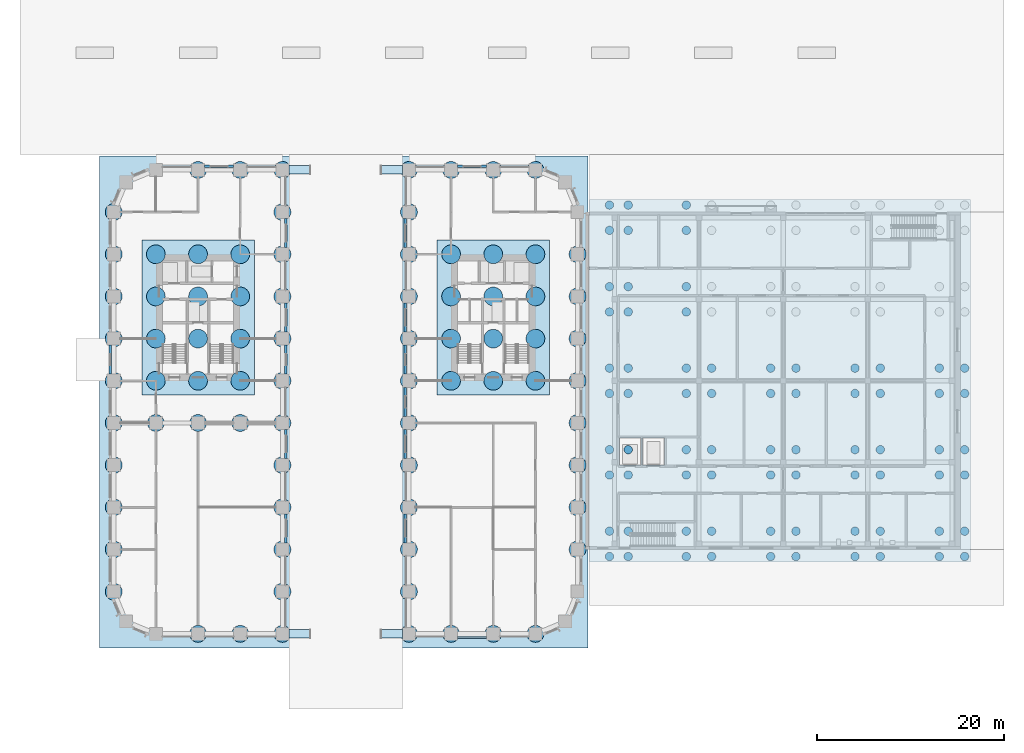
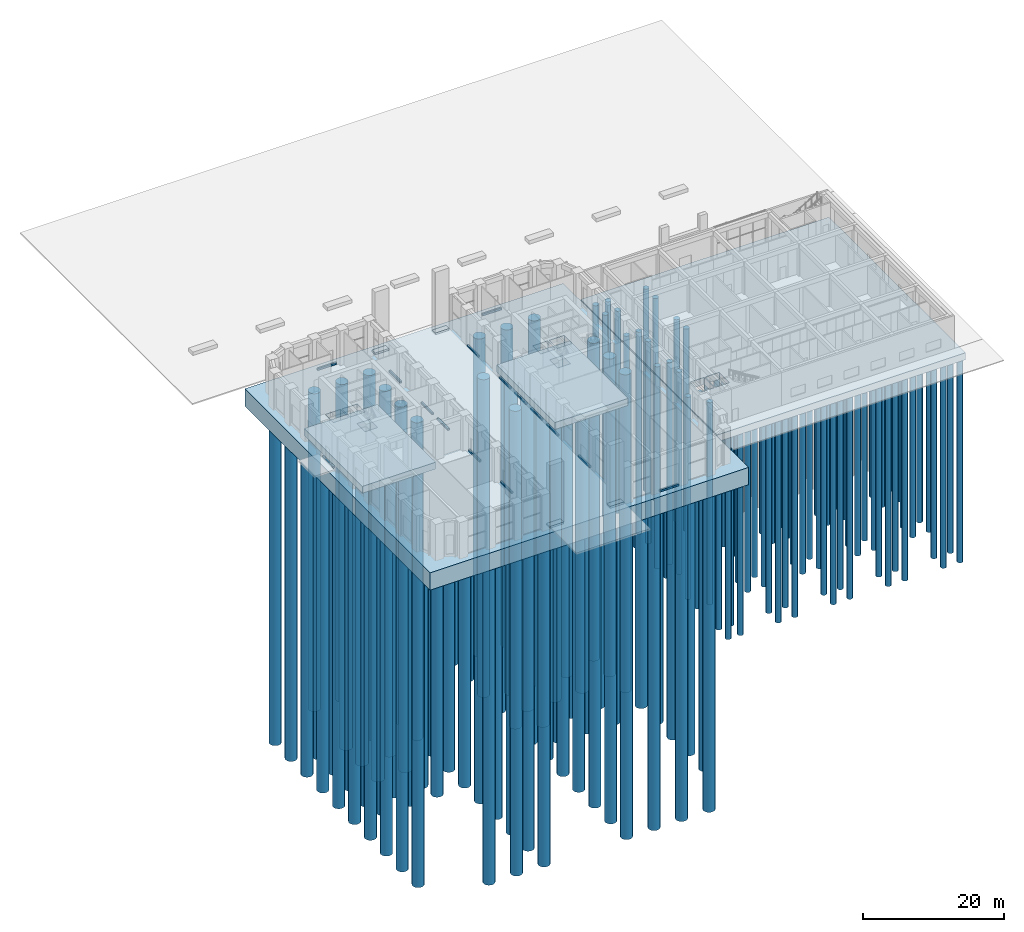
# One storey, part 1 of 31: 151 piles, 23 footings.
"""IFC4 building model written with IfcOpenShell, lengths in metres."""

from ifc_helpers import new_model, si_unit, direction, frame, origin, origin_2d, place, context, subcontext, project, spatial, polyline, circle, outline, extrude, material, layer, layer_set, material_profile, profile_set, type_object, element, save


model = new_model("IFC4")

# Units and contexts
model_context = context("Model", 3, precision=1e-05, world=origin(), true_north=direction((0.0, 1.0)))
body_context = subcontext(model_context, "Body", "Model", "MODEL_VIEW")
ifc_project = project(units=[si_unit("LENGTHUNIT", "METRE"), si_unit("AREAUNIT", "SQUARE_METRE"), si_unit("VOLUMEUNIT", "CUBIC_METRE"), si_unit("PLANEANGLEUNIT", "RADIAN"), si_unit("MASSUNIT", "GRAM", prefix="KILO")], contexts=[model_context])

# Site, building, storey
site_placement = place(None, origin())
site = spatial("IfcSite", under=ifc_project, at=site_placement, CompositionType="ELEMENT")
building_placement = place(site_placement, origin())
building = spatial("IfcBuilding", under=site, at=building_placement, Name="Girih Gate Residences", CompositionType="ELEMENT")
storey_placement = place(building_placement, origin())
storey = spatial("IfcBuildingStorey", under=building, at=storey_placement, Name="L00", CompositionType="ELEMENT", Elevation=0.0)

# Piles
ifc_material_1 = material(Name="Concrete C35/45", Category="concrete")
ifc_material_profile_1 = material_profile(ifc_material_1, circle(Radius=0.89990234375, at=origin_2d()))
ifc_profile_set_1 = profile_set([ifc_material_profile_1], Name="Concrete C35/45")
pile_type_1 = type_object("IfcPileType", Name="Bored pile D1800 Concrete C35/45", PredefinedType="BORED", material=ifc_profile_set_1)
for number, where, z_axis, x_axis, name in (
    (1, (9.0, 0.0, -3.300048828125), (0.0, 0.0, -1.0), (1.0, 0.0, 0.0), "Bored pile 1"),
    (2, (13.5, 0.0, -3.300048828125), (0.0, 0.0, -1.0), (1.0, 0.0, 0.0), "Bored pile 2"),
    (3, (18.0, 0.0, -3.300048828125), (0.0, 0.0, -1.0), (1.0, 0.0, 0.0), "Bored pile 3"),
    (4, (31.5, 0.0, -3.300048828125), (0.0, 0.0, -1.0), (1.0, 0.0, 0.0), "Bored pile 4"),
    (5, (36.0, 0.0, -3.300048828125), (0.0, 0.0, -1.0), (1.0, 0.0, 0.0), "Bored pile 5"),
    (6, (40.5, 0.0, -3.300048828125), (0.0, 0.0, -1.0), (1.0, 0.0, 0.0), "Bored pile 6"),
    (7, (45.0, 0.0, -3.300048828125), (0.0, 0.0, -1.0), (1.0, 0.0, 0.0), "Bored pile 7"),
    (8, (0.0, 4.5, -3.300048828125), (0.0, 0.0, -1.0), (1.0, 0.0, 0.0), "Bored pile 8"),
    (9, (18.0, 4.5, -3.300048828125), (0.0, 0.0, -1.0), (1.0, 0.0, 0.0), "Bored pile 9"),
    (10, (31.5, 4.5, -3.300048828125), (0.0, 0.0, -1.0), (1.0, 0.0, 0.0), "Bored pile 10"),
    (11, (0.0, 9.0, -3.300048828125), (0.0, 0.0, -1.0), (1.0, 0.0, 0.0), "Bored pile 11"),
    (12, (18.0, 9.0, -3.300048828125), (0.0, 0.0, -1.0), (1.0, 0.0, 0.0), "Bored pile 12"),
    (13, (31.5, 9.0, -3.300048828125), (0.0, 0.0, -1.0), (1.0, 0.0, 0.0), "Bored pile 13"),
    (14, (49.5, 9.0, -3.300048828125), (0.0, 0.0, -1.0), (1.0, 0.0, 0.0), "Bored pile 14"),
    (15, (0.0, 13.5, -3.300048828125), (0.0, 0.0, -1.0), (1.0, 0.0, 0.0), "Bored pile 15"),
    (16, (18.0, 13.5, -3.300048828125), (0.0, 0.0, -1.0), (1.0, 0.0, 0.0), "Bored pile 16"),
    (17, (31.5, 13.5, -3.300048828125), (0.0, 0.0, -1.0), (1.0, 0.0, 0.0), "Bored pile 17"),
    (18, (49.5, 13.5, -3.300048828125), (0.0, 0.0, -1.0), (1.0, 0.0, 0.0), "Bored pile 18"),
    (19, (0.0, 18.0, -3.300048828125), (0.0, 0.0, -1.0), (1.0, 0.0, 0.0), "Bored pile 19"),
    (20, (18.0, 18.0, -3.300048828125), (0.0, 0.0, -1.0), (1.0, 0.0, 0.0), "Bored pile 20"),
    (21, (31.5, 18.0, -3.300048828125), (0.0, 0.0, -1.0), (1.0, 0.0, 0.0), "Bored pile 21"),
    (22, (49.5, 18.0, -3.300048828125), (0.0, 0.0, -1.0), (1.0, 0.0, 0.0), "Bored pile 22"),
    (23, (0.0, 22.5, -3.300048828125), (0.0, 0.0, -1.0), (1.0, 0.0, 0.0), "Bored pile 23"),
    (24, (4.5, 22.5, -3.300048828125), (0.0, 0.0, -1.0), (1.0, 0.0, 0.0), "Bored pile 24"),
    (25, (9.0, 22.5, -3.300048828125), (0.0, 0.0, -1.0), (1.0, 0.0, 0.0), "Bored pile 25"),
    (26, (13.5, 22.5, -3.300048828125), (0.0, 0.0, -1.0), (1.0, 0.0, 0.0), "Bored pile 26"),
    (27, (18.0, 22.5, -3.300048828125), (0.0, 0.0, -1.0), (1.0, 0.0, 0.0), "Bored pile 27"),
    (28, (31.5, 22.5, -3.300048828125), (0.0, 0.0, -1.0), (1.0, 0.0, 0.0), "Bored pile 28"),
    (29, (49.5, 22.5, -3.300048828125), (0.0, 0.0, -1.0), (1.0, 0.0, 0.0), "Bored pile 29"),
    (30, (0.0, 27.0, -3.300048828125), (0.0, 0.0, -1.0), (1.0, 0.0, 0.0), "Bored pile 30"),
    (31, (18.0, 27.0, -3.300048828125), (0.0, 0.0, -1.0), (1.0, 0.0, 0.0), "Bored pile 34"),
    (32, (31.5, 27.0, -3.300048828125), (0.0, 0.0, -1.0), (1.0, 0.0, 0.0), "Bored pile 35"),
    (33, (49.5, 27.0, -3.300048828125), (0.0, 0.0, -1.0), (1.0, 0.0, 0.0), "Bored pile 39"),
    (34, (0.0, 31.5, -3.300048828125), (0.0, 0.0, -1.0), (1.0, 0.0, 0.0), "Bored pile 40"),
    (35, (18.0, 31.5, -3.300048828125), (0.0, 0.0, -1.0), (1.0, 0.0, 0.0), "Bored pile 44"),
    (36, (31.5, 31.5, -3.300048828125), (0.0, 0.0, -1.0), (1.0, 0.0, 0.0), "Bored pile 45"),
    (37, (49.5, 31.5, -3.300048828125), (0.0, 0.0, -1.0), (1.0, 0.0, 0.0), "Bored pile 49"),
    (38, (0.0, 36.0, -3.300048828125), (0.0, 0.0, -1.0), (1.0, 0.0, 0.0), "Bored pile 50"),
    (39, (18.0, 36.0, -3.300048828125), (0.0, 0.0, -1.0), (1.0, 0.0, 0.0), "Bored pile 54"),
    (40, (31.5, 36.0, -3.300048828125), (0.0, 0.0, -1.0), (1.0, 0.0, 0.0), "Bored pile 55"),
    (41, (49.5, 36.0, -3.300048828125), (0.0, 0.0, -1.0), (1.0, 0.0, 0.0), "Bored pile 59"),
    (42, (0.0, 40.5, -3.300048828125), (0.0, 0.0, -1.0), (1.0, 0.0, 0.0), "Bored pile 60"),
    (43, (18.0, 40.5, -3.300048828125), (0.0, 0.0, -1.0), (1.0, 0.0, 0.0), "Bored pile 64"),
    (44, (31.5, 40.5, -3.300048828125), (0.0, 0.0, -1.0), (1.0, 0.0, 0.0), "Bored pile 65"),
    (45, (49.5, 40.5, -3.300048828125), (0.0, 0.0, -1.0), (1.0, 0.0, 0.0), "Bored pile 69"),
    (46, (0.0, 45.0, -3.300048828125), (0.0, 0.0, -1.0), (1.0, 0.0, 0.0), "Bored pile 70"),
    (47, (18.0, 45.0, -3.300048828125), (0.0, 0.0, -1.0), (1.0, 0.0, 0.0), "Bored pile 71"),
    (48, (31.5, 45.0, -3.300048828125), (0.0, 0.0, -1.0), (1.0, 0.0, 0.0), "Bored pile 72"),
    (49, (9.0, 49.5, -3.300048828125), (0.0, 0.0, -1.0), (1.0, 0.0, 0.0), "Bored pile 73"),
    (50, (13.5, 49.5, -3.300048828125), (0.0, 0.0, -1.0), (1.0, 0.0, 0.0), "Bored pile 74"),
    (51, (18.0, 49.5, -3.300048828125), (0.0, 0.0, -1.0), (1.0, 0.0, 0.0), "Bored pile 75"),
    (52, (31.5, 49.5, -3.300048828125), (0.0, 0.0, -1.0), (1.0, 0.0, 0.0), "Bored pile 76"),
    (53, (36.0, 49.5, -3.300048828125), (0.0, 0.0, -1.0), (1.0, 0.0, 0.0), "Bored pile 77"),
    (54, (40.5, 49.5, -3.300048828125), (0.0, 0.0, -1.0), (1.0, 0.0, 0.0), "Bored pile 78"),
    (55, (45.0, 49.5, -3.300048828125), (0.0, 0.0, -1.0), (1.0, 0.0, 0.0), "Bored pile 79"),
):
    element("IfcPile", number, at=place(storey_placement, frame(where, z_axis=z_axis, x_axis=x_axis)), inside=storey, type_object=pile_type_1, Name=name, PredefinedType="BORED", context=body_context, shape_type="SweptSolid", body=[
        extrude(circle(Radius=0.89990234375, at=origin_2d()), origin(), (0.0, 0.0, 1.0), 55.0),
    ])
ifc_material_profile_2 = material_profile(ifc_material_1, circle(Radius=1.0, at=origin_2d()))
ifc_profile_set_2 = profile_set([ifc_material_profile_2], Name="Concrete C35/45")
pile_type_2 = type_object("IfcPileType", Name="Bored pile D2000 Concrete C35/45", PredefinedType="BORED", material=ifc_profile_set_2)
for number, where, z_axis, x_axis, name in (
    (56, (4.5, 27.0, -4.5), (0.0, 0.0, -1.0), (1.0, 0.0, 0.0), "Bored pile 31"),
    (57, (9.0, 27.0, -4.5), (0.0, 0.0, -1.0), (1.0, 0.0, 0.0), "Bored pile 32"),
    (58, (13.5, 27.0, -4.5), (0.0, 0.0, -1.0), (1.0, 0.0, 0.0), "Bored pile 33"),
    (59, (36.0, 27.0, -4.5), (0.0, 0.0, -1.0), (1.0, 0.0, 0.0), "Bored pile 36"),
    (60, (40.5, 27.0, -4.5), (0.0, 0.0, -1.0), (1.0, 0.0, 0.0), "Bored pile 37"),
    (61, (45.0, 27.0, -4.5), (0.0, 0.0, -1.0), (1.0, 0.0, 0.0), "Bored pile 38"),
    (62, (4.5, 31.5, -4.5), (0.0, 0.0, -1.0), (1.0, 0.0, 0.0), "Bored pile 41"),
    (63, (9.0, 31.5, -4.5), (0.0, 0.0, -1.0), (1.0, 0.0, 0.0), "Bored pile 42"),
    (64, (13.5, 31.5, -4.5), (0.0, 0.0, -1.0), (1.0, 0.0, 0.0), "Bored pile 43"),
    (65, (36.0, 31.5, -4.5), (0.0, 0.0, -1.0), (1.0, 0.0, 0.0), "Bored pile 46"),
    (66, (40.5, 31.5, -4.5), (0.0, 0.0, -1.0), (1.0, 0.0, 0.0), "Bored pile 47"),
    (67, (45.0, 31.5, -4.5), (0.0, 0.0, -1.0), (1.0, 0.0, 0.0), "Bored pile 48"),
    (68, (4.5, 36.0, -4.5), (0.0, 0.0, -1.0), (1.0, 0.0, 0.0), "Bored pile 51"),
    (69, (9.0, 36.0, -4.5), (0.0, 0.0, -1.0), (1.0, 0.0, 0.0), "Bored pile 52"),
    (70, (13.5, 36.0, -4.5), (0.0, 0.0, -1.0), (1.0, 0.0, 0.0), "Bored pile 53"),
    (71, (36.0, 36.0, -4.5), (0.0, 0.0, -1.0), (1.0, 0.0, 0.0), "Bored pile 56"),
    (72, (40.5, 36.0, -4.5), (0.0, 0.0, -1.0), (1.0, 0.0, 0.0), "Bored pile 57"),
    (73, (45.0, 36.0, -4.5), (0.0, 0.0, -1.0), (1.0, 0.0, 0.0), "Bored pile 58"),
    (74, (4.5, 40.5, -4.5), (0.0, 0.0, -1.0), (1.0, 0.0, 0.0), "Bored pile 61"),
    (75, (9.0, 40.5, -4.5), (0.0, 0.0, -1.0), (1.0, 0.0, 0.0), "Bored pile 62"),
    (76, (13.5, 40.5, -4.5), (0.0, 0.0, -1.0), (1.0, 0.0, 0.0), "Bored pile 63"),
    (77, (36.0, 40.5, -4.5), (0.0, 0.0, -1.0), (1.0, 0.0, 0.0), "Bored pile 66"),
    (78, (40.5, 40.5, -4.5), (0.0, 0.0, -1.0), (1.0, 0.0, 0.0), "Bored pile 67"),
    (79, (45.0, 40.5, -4.5), (0.0, 0.0, -1.0), (1.0, 0.0, 0.0), "Bored pile 68"),
):
    element("IfcPile", number, at=place(storey_placement, frame(where, z_axis=z_axis, x_axis=x_axis)), inside=storey, type_object=pile_type_2, Name=name, PredefinedType="BORED", context=body_context, shape_type="SweptSolid", body=[
        extrude(circle(Radius=1.0, at=origin_2d()), origin(), (0.0, 0.0, 1.0), 55.0),
    ])
ifc_material_2 = material(Name="Concrete C40/50", Category="concrete")
ifc_material_profile_3 = material_profile(ifc_material_2, circle(Radius=0.449951171875, at=origin_2d()))
ifc_profile_set_3 = profile_set([ifc_material_profile_3], Name="Concrete C40/50")
pile_type_3 = type_object("IfcPileType", Name="HC Bored pile D900 C40/50", PredefinedType="BORED", material=ifc_profile_set_3)
for number, where, z_axis, x_axis, name in (
    (80, (52.89990234375, 8.25, -1.5), (0.0, 0.0, -1.0), (1.0, 0.0, 0.0), "Health centre pile H1/HA 1"),
    (81, (52.89990234375, 10.949951171875, -1.5), (0.0, 0.0, -1.0), (1.0, 0.0, 0.0), "Health centre pile H1/HA 2"),
    (82, (54.89990234375, 8.25, -1.5), (0.0, 0.0, -1.0), (1.0, 0.0, 0.0), "Health centre pile H1/HA 3"),
    (83, (54.89990234375, 10.949951171875, -1.5), (0.0, 0.0, -1.0), (1.0, 0.0, 0.0), "Health centre pile H1/HA 4"),
    (84, (52.89990234375, 16.949951171875, -1.5), (0.0, 0.0, -1.0), (1.0, 0.0, 0.0), "Health centre pile H1/HB 5"),
    (85, (52.89990234375, 19.64990234375, -1.5), (0.0, 0.0, -1.0), (1.0, 0.0, 0.0), "Health centre pile H1/HB 6"),
    (86, (54.89990234375, 16.949951171875, -1.5), (0.0, 0.0, -1.0), (1.0, 0.0, 0.0), "Health centre pile H1/HB 7"),
    (87, (54.89990234375, 19.64990234375, -1.5), (0.0, 0.0, -1.0), (1.0, 0.0, 0.0), "Health centre pile H1/HB 8"),
    (88, (52.89990234375, 25.64990234375, -1.5), (0.0, 0.0, -1.0), (1.0, 0.0, 0.0), "Health centre pile H1/HC 9"),
    (89, (52.89990234375, 28.35009765625, -1.5), (0.0, 0.0, -1.0), (1.0, 0.0, 0.0), "Health centre pile H1/HC 10"),
    (90, (54.89990234375, 25.64990234375, -1.5), (0.0, 0.0, -1.0), (1.0, 0.0, 0.0), "Health centre pile H1/HC 11"),
    (91, (54.89990234375, 28.35009765625, -1.5), (0.0, 0.0, -1.0), (1.0, 0.0, 0.0), "Health centre pile H1/HC 12"),
    (92, (52.89990234375, 34.35009765625, -1.5), (0.0, 0.0, -1.0), (1.0, 0.0, 0.0), "Health centre pile H1/HD 13"),
    (93, (52.89990234375, 37.050048828125, -1.5), (0.0, 0.0, -1.0), (1.0, 0.0, 0.0), "Health centre pile H1/HD 14"),
    (94, (54.89990234375, 34.35009765625, -1.5), (0.0, 0.0, -1.0), (1.0, 0.0, 0.0), "Health centre pile H1/HD 15"),
    (95, (54.89990234375, 37.050048828125, -1.5), (0.0, 0.0, -1.0), (1.0, 0.0, 0.0), "Health centre pile H1/HD 16"),
    (96, (52.89990234375, 43.050048828125, -1.5), (0.0, 0.0, -1.0), (1.0, 0.0, 0.0), "Health centre pile H1/HE 17"),
    (97, (52.89990234375, 45.75, -1.5), (0.0, 0.0, -1.0), (1.0, 0.0, 0.0), "Health centre pile H1/HE 18"),
    (98, (54.89990234375, 43.050048828125, -1.5), (0.0, 0.0, -1.0), (1.0, 0.0, 0.0), "Health centre pile H1/HE 19"),
    (99, (54.89990234375, 45.75, -1.5), (0.0, 0.0, -1.0), (1.0, 0.0, 0.0), "Health centre pile H1/HE 20"),
    (100, (61.10009765625, 8.25, -1.5), (0.0, 0.0, -1.0), (1.0, 0.0, 0.0), "Health centre pile H2/HA 21"),
    (101, (61.10009765625, 10.949951171875, -1.5), (0.0, 0.0, -1.0), (1.0, 0.0, 0.0), "Health centre pile H2/HA 22"),
    (102, (63.800048828125, 8.25, -1.5), (0.0, 0.0, -1.0), (1.0, 0.0, 0.0), "Health centre pile H2/HA 23"),
    (103, (63.800048828125, 10.949951171875, -1.5), (0.0, 0.0, -1.0), (1.0, 0.0, 0.0), "Health centre pile H2/HA 24"),
    (104, (61.10009765625, 16.949951171875, -1.5), (0.0, 0.0, -1.0), (1.0, 0.0, 0.0), "Health centre pile H2/HB 25"),
    (105, (61.10009765625, 19.64990234375, -1.5), (0.0, 0.0, -1.0), (1.0, 0.0, 0.0), "Health centre pile H2/HB 26"),
    (106, (63.800048828125, 16.949951171875, -1.5), (0.0, 0.0, -1.0), (1.0, 0.0, 0.0), "Health centre pile H2/HB 27"),
    (107, (63.800048828125, 19.64990234375, -1.5), (0.0, 0.0, -1.0), (1.0, 0.0, 0.0), "Health centre pile H2/HB 28"),
    (108, (61.10009765625, 25.64990234375, -1.5), (0.0, 0.0, -1.0), (1.0, 0.0, 0.0), "Health centre pile H2/HC 29"),
    (109, (61.10009765625, 28.35009765625, -1.5), (0.0, 0.0, -1.0), (1.0, 0.0, 0.0), "Health centre pile H2/HC 30"),
    (110, (63.800048828125, 25.64990234375, -1.5), (0.0, 0.0, -1.0), (1.0, 0.0, 0.0), "Health centre pile H2/HC 31"),
    (111, (63.800048828125, 28.35009765625, -1.5), (0.0, 0.0, -1.0), (1.0, 0.0, 0.0), "Health centre pile H2/HC 32"),
    (112, (61.10009765625, 34.35009765625, -1.5), (0.0, 0.0, -1.0), (1.0, 0.0, 0.0), "Health centre pile H2/HD 33"),
    (113, (61.10009765625, 37.050048828125, -1.5), (0.0, 0.0, -1.0), (1.0, 0.0, 0.0), "Health centre pile H2/HD 34"),
    (114, (61.10009765625, 43.050048828125, -1.5), (0.0, 0.0, -1.0), (1.0, 0.0, 0.0), "Health centre pile H2/HE 37"),
    (115, (61.10009765625, 45.75, -1.5), (0.0, 0.0, -1.0), (1.0, 0.0, 0.0), "Health centre pile H2/HE 38"),
    (116, (70.10009765625, 8.25, -1.5), (0.0, 0.0, -1.0), (1.0, 0.0, 0.0), "Health centre pile H3/HA 41"),
    (117, (70.10009765625, 10.949951171875, -1.5), (0.0, 0.0, -1.0), (1.0, 0.0, 0.0), "Health centre pile H3/HA 42"),
    (118, (72.800048828125, 8.25, -1.5), (0.0, 0.0, -1.0), (1.0, 0.0, 0.0), "Health centre pile H3/HA 43"),
    (119, (72.800048828125, 10.949951171875, -1.5), (0.0, 0.0, -1.0), (1.0, 0.0, 0.0), "Health centre pile H3/HA 44"),
    (120, (70.10009765625, 16.949951171875, -1.5), (0.0, 0.0, -1.0), (1.0, 0.0, 0.0), "Health centre pile H3/HB 45"),
    (121, (70.10009765625, 19.64990234375, -1.5), (0.0, 0.0, -1.0), (1.0, 0.0, 0.0), "Health centre pile H3/HB 46"),
    (122, (72.800048828125, 16.949951171875, -1.5), (0.0, 0.0, -1.0), (1.0, 0.0, 0.0), "Health centre pile H3/HB 47"),
    (123, (72.800048828125, 19.64990234375, -1.5), (0.0, 0.0, -1.0), (1.0, 0.0, 0.0), "Health centre pile H3/HB 48"),
    (124, (70.10009765625, 25.64990234375, -1.5), (0.0, 0.0, -1.0), (1.0, 0.0, 0.0), "Health centre pile H3/HC 49"),
    (125, (70.10009765625, 28.35009765625, -1.5), (0.0, 0.0, -1.0), (1.0, 0.0, 0.0), "Health centre pile H3/HC 50"),
    (126, (72.800048828125, 25.64990234375, -1.5), (0.0, 0.0, -1.0), (1.0, 0.0, 0.0), "Health centre pile H3/HC 51"),
    (127, (72.800048828125, 28.35009765625, -1.5), (0.0, 0.0, -1.0), (1.0, 0.0, 0.0), "Health centre pile H3/HC 52"),
    (128, (79.10009765625, 8.25, -1.5), (0.0, 0.0, -1.0), (1.0, 0.0, 0.0), "Health centre pile H4/HA 61"),
    (129, (79.10009765625, 10.949951171875, -1.5), (0.0, 0.0, -1.0), (1.0, 0.0, 0.0), "Health centre pile H4/HA 62"),
    (130, (81.800048828125, 8.25, -1.5), (0.0, 0.0, -1.0), (1.0, 0.0, 0.0), "Health centre pile H4/HA 63"),
    (131, (81.800048828125, 10.949951171875, -1.5), (0.0, 0.0, -1.0), (1.0, 0.0, 0.0), "Health centre pile H4/HA 64"),
    (132, (79.10009765625, 16.949951171875, -1.5), (0.0, 0.0, -1.0), (1.0, 0.0, 0.0), "Health centre pile H4/HB 65"),
    (133, (79.10009765625, 19.64990234375, -1.5), (0.0, 0.0, -1.0), (1.0, 0.0, 0.0), "Health centre pile H4/HB 66"),
    (134, (81.800048828125, 16.949951171875, -1.5), (0.0, 0.0, -1.0), (1.0, 0.0, 0.0), "Health centre pile H4/HB 67"),
    (135, (81.800048828125, 19.64990234375, -1.5), (0.0, 0.0, -1.0), (1.0, 0.0, 0.0), "Health centre pile H4/HB 68"),
    (136, (79.10009765625, 25.64990234375, -1.5), (0.0, 0.0, -1.0), (1.0, 0.0, 0.0), "Health centre pile H4/HC 69"),
    (137, (79.10009765625, 28.35009765625, -1.5), (0.0, 0.0, -1.0), (1.0, 0.0, 0.0), "Health centre pile H4/HC 70"),
    (138, (81.800048828125, 25.64990234375, -1.5), (0.0, 0.0, -1.0), (1.0, 0.0, 0.0), "Health centre pile H4/HC 71"),
    (139, (81.800048828125, 28.35009765625, -1.5), (0.0, 0.0, -1.0), (1.0, 0.0, 0.0), "Health centre pile H4/HC 72"),
    (140, (88.10009765625, 8.25, -1.5), (0.0, 0.0, -1.0), (1.0, 0.0, 0.0), "Health centre pile H5/HA 81"),
    (141, (88.10009765625, 10.949951171875, -1.5), (0.0, 0.0, -1.0), (1.0, 0.0, 0.0), "Health centre pile H5/HA 82"),
    (142, (90.800048828125, 8.25, -1.5), (0.0, 0.0, -1.0), (1.0, 0.0, 0.0), "Health centre pile H5/HA 83"),
    (143, (90.800048828125, 10.949951171875, -1.5), (0.0, 0.0, -1.0), (1.0, 0.0, 0.0), "Health centre pile H5/HA 84"),
    (144, (88.10009765625, 16.949951171875, -1.5), (0.0, 0.0, -1.0), (1.0, 0.0, 0.0), "Health centre pile H5/HB 85"),
    (145, (88.10009765625, 19.64990234375, -1.5), (0.0, 0.0, -1.0), (1.0, 0.0, 0.0), "Health centre pile H5/HB 86"),
    (146, (90.800048828125, 16.949951171875, -1.5), (0.0, 0.0, -1.0), (1.0, 0.0, 0.0), "Health centre pile H5/HB 87"),
    (147, (90.800048828125, 19.64990234375, -1.5), (0.0, 0.0, -1.0), (1.0, 0.0, 0.0), "Health centre pile H5/HB 88"),
    (148, (88.10009765625, 25.64990234375, -1.5), (0.0, 0.0, -1.0), (1.0, 0.0, 0.0), "Health centre pile H5/HC 89"),
    (149, (88.10009765625, 28.35009765625, -1.5), (0.0, 0.0, -1.0), (1.0, 0.0, 0.0), "Health centre pile H5/HC 90"),
    (150, (90.800048828125, 25.64990234375, -1.5), (0.0, 0.0, -1.0), (1.0, 0.0, 0.0), "Health centre pile H5/HC 91"),
    (151, (90.800048828125, 28.35009765625, -1.5), (0.0, 0.0, -1.0), (1.0, 0.0, 0.0), "Health centre pile H5/HC 92"),
):
    element("IfcPile", number, at=place(storey_placement, frame(where, z_axis=z_axis, x_axis=x_axis)), inside=storey, type_object=pile_type_3, Name=name, PredefinedType="BORED", context=body_context, shape_type="SweptSolid", body=[
        extrude(circle(Radius=0.449951171875, at=origin_2d()), origin(), (0.0, 0.0, 1.0), 35.0),
    ])

# Footings
ifc_layer_1 = layer(ifc_material_2, 1.199951171875)
ifc_layer_set_1 = layer_set([ifc_layer_1], Name="HC Piled raft 1200 C40/50")
footing_type_1 = type_object("IfcFootingType", Name="HC Piled raft 1200 C40/50", PredefinedType="PILE_CAP", material=ifc_layer_set_1)
footing_1_placement = place(storey_placement, frame((0.0, 0.0, -1.5)))
element("IfcFooting", 152, at=footing_1_placement, inside=storey, type_object=footing_type_1, Name="Health centre piled raft", PredefinedType="PILE_CAP", context=body_context, shape_type="SweptSolid", body=[
    extrude(outline(polyline([(50.75, 7.64990234375), (91.39990234375, 7.64990234375), (91.39990234375, 46.35009765625), (50.75, 46.35009765625), (50.75, 7.64990234375)]), holes=[polyline([(53.949951171875, 18.0), (56.25, 18.0), (56.25, 20.89990234375), (53.949951171875, 20.89990234375), (53.949951171875, 18.0)]), polyline([(56.449951171875, 18.0), (58.75, 18.0), (58.75, 20.89990234375), (56.449951171875, 20.89990234375), (56.449951171875, 18.0)])]), origin(), (0.0, 0.0, 1.0), 1.199951171875),
])
ifc_layer_2 = layer(ifc_material_1, 1.199951171875)
ifc_layer_set_2 = layer_set([ifc_layer_2], Name="Pile cap RC 1200 Concrete C35/45")
footing_type_2 = type_object("IfcFootingType", Name="Pile cap RC 1200 Concrete C35/45", PredefinedType="PILE_CAP", material=ifc_layer_set_2)
footing_2_placement = place(storey_placement, frame((0.0, 0.0, -4.5)))
element("IfcFooting", 153, at=footing_2_placement, inside=storey, type_object=footing_type_2, Name="Core pile cap W", PredefinedType="PILE_CAP", context=body_context, shape_type="SweptSolid", body=[
    extrude(outline(polyline([(3.0, 25.5), (15.0, 25.5), (15.0, 42.0), (3.0, 42.0), (3.0, 25.5)])), origin(), (0.0, 0.0, 1.0), 1.199951171875),
])
footing_3_placement = place(storey_placement, frame((0.0, 0.0, -4.5)))
element("IfcFooting", 154, at=footing_3_placement, inside=storey, type_object=footing_type_2, Name="Core pile cap E", PredefinedType="PILE_CAP", context=body_context, shape_type="SweptSolid", body=[
    extrude(outline(polyline([(34.5, 25.5), (46.5, 25.5), (46.5, 42.0), (34.5, 42.0), (34.5, 25.5)])), origin(), (0.0, 0.0, 1.0), 1.199951171875),
])
ifc_layer_3 = layer(ifc_material_1, 3.0)
ifc_layer_set_3 = layer_set([ifc_layer_3], Name="Piled raft RC 3000 Concrete C35/45")
footing_type_3 = type_object("IfcFootingType", Name="Piled raft RC 3000 Concrete C35/45", PredefinedType="PILE_CAP", material=ifc_layer_set_3)
footing_4_placement = place(storey_placement, frame((0.0, 0.0, -3.300048828125)))
element("IfcFooting", 155, at=footing_4_placement, inside=storey, type_object=footing_type_3, Name="Tower piled raft", PredefinedType="PILE_CAP", context=body_context, shape_type="SweptSolid", body=[
    extrude(outline(polyline([(-1.5, -1.5), (50.60009765625, -1.5), (50.60009765625, 51.0), (-1.5, 51.0), (-1.5, -1.5)]), holes=[polyline([(5.199951171875, 37.5), (7.699951171875, 37.5), (7.699951171875, 39.800048828125), (5.199951171875, 39.800048828125), (5.199951171875, 37.5)]), polyline([(7.89990234375, 37.5), (10.39990234375, 37.5), (10.39990234375, 39.800048828125), (7.89990234375, 39.800048828125), (7.89990234375, 37.5)]), polyline([(7.949951171875, 33.300048828125), (10.050048828125, 33.300048828125), (10.050048828125, 35.60009765625), (7.949951171875, 35.60009765625), (7.949951171875, 33.300048828125)]), polyline([(41.800048828125, 37.5), (44.300048828125, 37.5), (44.300048828125, 39.800048828125), (41.800048828125, 39.800048828125), (41.800048828125, 37.5)]), polyline([(39.10009765625, 37.5), (41.60009765625, 37.5), (41.60009765625, 39.800048828125), (39.10009765625, 39.800048828125), (39.10009765625, 37.5)]), polyline([(39.449951171875, 33.300048828125), (41.550048828125, 33.300048828125), (41.550048828125, 35.60009765625), (39.449951171875, 35.60009765625), (39.449951171875, 33.300048828125)])]), origin(), (0.0, 0.0, 1.0), 3.0),
])
ifc_layer_4 = layer(ifc_material_1, 0.300048828125)
ifc_layer_set_4 = layer_set([ifc_layer_4], Name="Wall footing RC 300 Concrete C35/45 WF1")
footing_type_4 = type_object("IfcFootingType", Name="Wall footing RC 300 Concrete C35/45 WF1", PredefinedType="STRIP_FOOTING", material=ifc_layer_set_4)
footing_5_placement = place(storey_placement, frame((0.0, 0.0, -0.300048828125)))
element("IfcFooting", 156, at=footing_5_placement, inside=storey, type_object=footing_type_4, Name="Wall footing N0180_0495.1", PredefinedType="STRIP_FOOTING", context=body_context, shape_type="SweptSolid", body=[
    extrude(outline(polyline([(9.699951171875, 49.7451171875), (12.800048828125, 49.7451171875), (12.800048828125, 50.0048828125), (9.699951171875, 50.0048828125), (9.699951171875, 49.7451171875)])), origin(), (0.0, 0.0, 1.0), 0.300048828125),
])
footing_6_placement = place(storey_placement, frame((0.0, 0.0, -0.300048828125)))
element("IfcFooting", 157, at=footing_6_placement, inside=storey, type_object=footing_type_4, Name="Wall footing S0315_0000.1", PredefinedType="STRIP_FOOTING", context=body_context, shape_type="SweptSolid", body=[
    extrude(outline(polyline([(39.800048828125, -0.2451171875), (36.699951171875, -0.2451171875), (36.699951171875, -0.5048828125), (39.800048828125, -0.5048828125), (39.800048828125, -0.2451171875)])), origin(), (0.0, 0.0, 1.0), 0.300048828125),
])
footing_7_placement = place(storey_placement, frame((0.0, 0.0, -0.300048828125)))
element("IfcFooting", 158, at=footing_7_placement, inside=storey, type_object=footing_type_4, Name="Wall footing N0450_0495.1", PredefinedType="STRIP_FOOTING", context=body_context, shape_type="SweptSolid", body=[
    extrude(outline(polyline([(36.699951171875, 49.7451171875), (39.800048828125, 49.7451171875), (39.800048828125, 50.0048828125), (36.699951171875, 50.0048828125), (36.699951171875, 49.7451171875)])), origin(), (0.0, 0.0, 1.0), 0.300048828125),
])
ifc_layer_5 = layer(ifc_material_1, 0.300048828125)
ifc_layer_set_5 = layer_set([ifc_layer_5], Name="Wall footing RC 300 Concrete C35/45 WF2")
footing_type_5 = type_object("IfcFootingType", Name="Wall footing RC 300 Concrete C35/45 WF2", PredefinedType="STRIP_FOOTING", material=ifc_layer_set_5)
footing_8_placement = place(storey_placement, frame((0.0, 0.0, -0.300048828125)))
element("IfcFooting", 159, at=footing_8_placement, inside=storey, type_object=footing_type_5, Name="Wall footing W0000_0450.3", PredefinedType="STRIP_FOOTING", context=body_context, shape_type="SweptSolid", body=[
    extrude(outline(polyline([(-0.2451171875, 27.699951171875), (-0.2451171875, 30.800048828125), (-0.5048828125, 30.800048828125), (-0.5048828125, 27.699951171875), (-0.2451171875, 27.699951171875)])), origin(), (0.0, 0.0, 1.0), 0.300048828125),
])
footing_9_placement = place(storey_placement, frame((0.0, 0.0, -0.300048828125)))
element("IfcFooting", 160, at=footing_9_placement, inside=storey, type_object=footing_type_5, Name="Wall footing E0180_0000.2", PredefinedType="STRIP_FOOTING", context=body_context, shape_type="SweptSolid", body=[
    extrude(outline(polyline([(18.2451171875, 12.800048828125), (18.2451171875, 9.699951171875), (18.5048828125, 9.699951171875), (18.5048828125, 12.800048828125), (18.2451171875, 12.800048828125)])), origin(), (0.0, 0.0, 1.0), 0.300048828125),
])
footing_10_placement = place(storey_placement, frame((0.0, 0.0, -0.300048828125)))
element("IfcFooting", 161, at=footing_10_placement, inside=storey, type_object=footing_type_5, Name="Wall footing E0180_0000.4", PredefinedType="STRIP_FOOTING", context=body_context, shape_type="SweptSolid", body=[
    extrude(outline(polyline([(18.2451171875, 21.800048828125), (18.2451171875, 18.699951171875), (18.5048828125, 18.699951171875), (18.5048828125, 21.800048828125), (18.2451171875, 21.800048828125)])), origin(), (0.0, 0.0, 1.0), 0.300048828125),
])
footing_11_placement = place(storey_placement, frame((0.0, 0.0, -0.300048828125)))
element("IfcFooting", 162, at=footing_11_placement, inside=storey, type_object=footing_type_5, Name="Wall footing E0180_0000.6", PredefinedType="STRIP_FOOTING", context=body_context, shape_type="SweptSolid", body=[
    extrude(outline(polyline([(18.2451171875, 30.800048828125), (18.2451171875, 27.699951171875), (18.5048828125, 27.699951171875), (18.5048828125, 30.800048828125), (18.2451171875, 30.800048828125)])), origin(), (0.0, 0.0, 1.0), 0.300048828125),
])
footing_12_placement = place(storey_placement, frame((0.0, 0.0, -0.300048828125)))
element("IfcFooting", 163, at=footing_12_placement, inside=storey, type_object=footing_type_5, Name="Wall footing E0180_0000.7", PredefinedType="STRIP_FOOTING", context=body_context, shape_type="SweptSolid", body=[
    extrude(outline(polyline([(18.2451171875, 35.300048828125), (18.2451171875, 32.199951171875), (18.5048828125, 32.199951171875), (18.5048828125, 35.300048828125), (18.2451171875, 35.300048828125)])), origin(), (0.0, 0.0, 1.0), 0.300048828125),
])
footing_13_placement = place(storey_placement, frame((0.0, 0.0, -0.300048828125)))
element("IfcFooting", 164, at=footing_13_placement, inside=storey, type_object=footing_type_5, Name="Wall footing E0180_0000.9", PredefinedType="STRIP_FOOTING", context=body_context, shape_type="SweptSolid", body=[
    extrude(outline(polyline([(18.2451171875, 44.300048828125), (18.2451171875, 41.199951171875), (18.5048828125, 41.199951171875), (18.5048828125, 44.300048828125), (18.2451171875, 44.300048828125)])), origin(), (0.0, 0.0, 1.0), 0.300048828125),
])
footing_14_placement = place(storey_placement, frame((0.0, 0.0, -0.300048828125)))
element("IfcFooting", 165, at=footing_14_placement, inside=storey, type_object=footing_type_5, Name="Wall footing W0315_0495.1", PredefinedType="STRIP_FOOTING", context=body_context, shape_type="SweptSolid", body=[
    extrude(outline(polyline([(31.2548828125, 41.199951171875), (31.2548828125, 44.300048828125), (30.9951171875, 44.300048828125), (30.9951171875, 41.199951171875), (31.2548828125, 41.199951171875)])), origin(), (0.0, 0.0, 1.0), 0.300048828125),
])
footing_15_placement = place(storey_placement, frame((0.0, 0.0, -0.300048828125)))
element("IfcFooting", 166, at=footing_15_placement, inside=storey, type_object=footing_type_5, Name="Wall footing W0315_0495.3", PredefinedType="STRIP_FOOTING", context=body_context, shape_type="SweptSolid", body=[
    extrude(outline(polyline([(31.2548828125, 32.199951171875), (31.2548828125, 35.300048828125), (30.9951171875, 35.300048828125), (30.9951171875, 32.199951171875), (31.2548828125, 32.199951171875)])), origin(), (0.0, 0.0, 1.0), 0.300048828125),
])
footing_16_placement = place(storey_placement, frame((0.0, 0.0, -0.300048828125)))
element("IfcFooting", 167, at=footing_16_placement, inside=storey, type_object=footing_type_5, Name="Wall footing W0315_0495.4", PredefinedType="STRIP_FOOTING", context=body_context, shape_type="SweptSolid", body=[
    extrude(outline(polyline([(31.2548828125, 27.699951171875), (31.2548828125, 30.800048828125), (30.9951171875, 30.800048828125), (30.9951171875, 27.699951171875), (31.2548828125, 27.699951171875)])), origin(), (0.0, 0.0, 1.0), 0.300048828125),
])
footing_17_placement = place(storey_placement, frame((0.0, 0.0, -0.300048828125)))
element("IfcFooting", 168, at=footing_17_placement, inside=storey, type_object=footing_type_5, Name="Wall footing W0315_0495.5", PredefinedType="STRIP_FOOTING", context=body_context, shape_type="SweptSolid", body=[
    extrude(outline(polyline([(31.2548828125, 23.199951171875), (31.2548828125, 26.300048828125), (30.9951171875, 26.300048828125), (30.9951171875, 23.199951171875), (31.2548828125, 23.199951171875)])), origin(), (0.0, 0.0, 1.0), 0.300048828125),
])
footing_18_placement = place(storey_placement, frame((0.0, 0.0, -0.300048828125)))
element("IfcFooting", 169, at=footing_18_placement, inside=storey, type_object=footing_type_5, Name="Wall footing W0315_0495.6", PredefinedType="STRIP_FOOTING", context=body_context, shape_type="SweptSolid", body=[
    extrude(outline(polyline([(31.2548828125, 18.699951171875), (31.2548828125, 21.800048828125), (30.9951171875, 21.800048828125), (30.9951171875, 18.699951171875), (31.2548828125, 18.699951171875)])), origin(), (0.0, 0.0, 1.0), 0.300048828125),
])
footing_19_placement = place(storey_placement, frame((0.0, 0.0, -0.300048828125)))
element("IfcFooting", 170, at=footing_19_placement, inside=storey, type_object=footing_type_5, Name="Wall footing W0315_0495.8", PredefinedType="STRIP_FOOTING", context=body_context, shape_type="SweptSolid", body=[
    extrude(outline(polyline([(31.2548828125, 9.699951171875), (31.2548828125, 12.800048828125), (30.9951171875, 12.800048828125), (30.9951171875, 9.699951171875), (31.2548828125, 9.699951171875)])), origin(), (0.0, 0.0, 1.0), 0.300048828125),
])
ifc_layer_6 = layer(ifc_material_1, 0.300048828125)
ifc_layer_set_6 = layer_set([ifc_layer_6], Name="Wall footing RC 300 Concrete C35/45 WF3")
footing_type_6 = type_object("IfcFootingType", Name="Wall footing RC 300 Concrete C35/45 WF3", PredefinedType="STRIP_FOOTING", material=ifc_layer_set_6)
footing_20_placement = place(storey_placement, frame((0.0, 0.0, -0.300048828125)))
element("IfcFooting", 171, at=footing_20_placement, inside=storey, type_object=footing_type_6, Name="Pishtaq jamb footing S1", PredefinedType="STRIP_FOOTING", context=body_context, shape_type="SweptSolid", body=[
    extrude(outline(polyline([(18.699951171875, -0.449951171875), (20.949951171875, -0.449951171875), (20.949951171875, 0.449951171875), (18.699951171875, 0.449951171875), (18.699951171875, -0.449951171875)])), origin(), (0.0, 0.0, 1.0), 0.300048828125),
])
footing_21_placement = place(storey_placement, frame((0.0, 0.0, -0.300048828125)))
element("IfcFooting", 172, at=footing_21_placement, inside=storey, type_object=footing_type_6, Name="Pishtaq jamb footing S2", PredefinedType="STRIP_FOOTING", context=body_context, shape_type="SweptSolid", body=[
    extrude(outline(polyline([(28.550048828125, -0.449951171875), (30.800048828125, -0.449951171875), (30.800048828125, 0.449951171875), (28.550048828125, 0.449951171875), (28.550048828125, -0.449951171875)])), origin(), (0.0, 0.0, 1.0), 0.300048828125),
])
footing_22_placement = place(storey_placement, frame((0.0, 0.0, -0.300048828125)))
element("IfcFooting", 173, at=footing_22_placement, inside=storey, type_object=footing_type_6, Name="Pishtaq jamb footing N1", PredefinedType="STRIP_FOOTING", context=body_context, shape_type="SweptSolid", body=[
    extrude(outline(polyline([(18.699951171875, 49.050048828125), (20.949951171875, 49.050048828125), (20.949951171875, 49.949951171875), (18.699951171875, 49.949951171875), (18.699951171875, 49.050048828125)])), origin(), (0.0, 0.0, 1.0), 0.300048828125),
])
footing_23_placement = place(storey_placement, frame((0.0, 0.0, -0.300048828125)))
element("IfcFooting", 174, at=footing_23_placement, inside=storey, type_object=footing_type_6, Name="Pishtaq jamb footing N2", PredefinedType="STRIP_FOOTING", context=body_context, shape_type="SweptSolid", body=[
    extrude(outline(polyline([(28.550048828125, 49.050048828125), (30.800048828125, 49.050048828125), (30.800048828125, 49.949951171875), (28.550048828125, 49.949951171875), (28.550048828125, 49.050048828125)])), origin(), (0.0, 0.0, 1.0), 0.300048828125),
])

save(model, "model.ifc")
